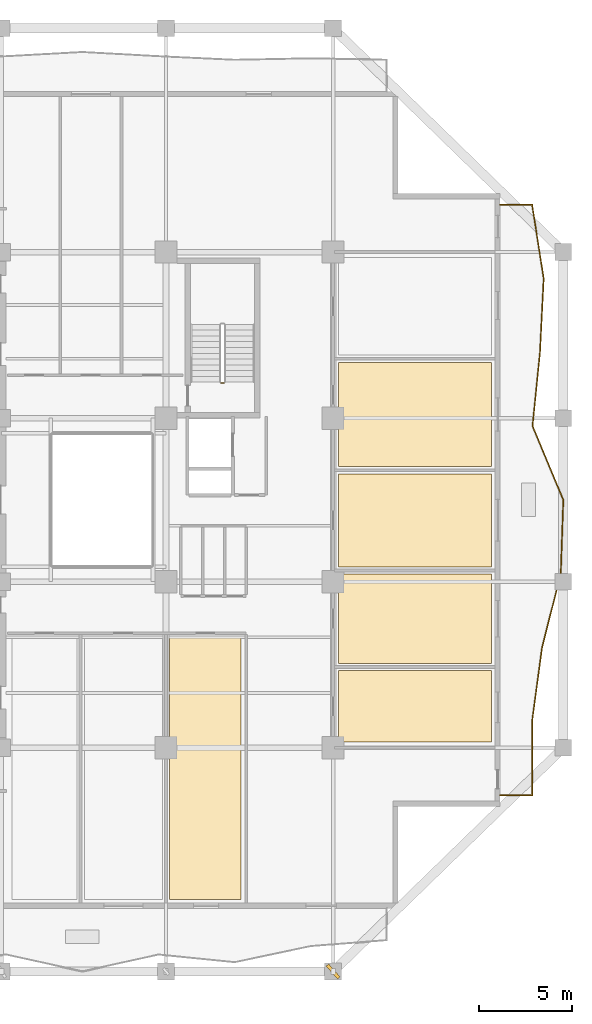
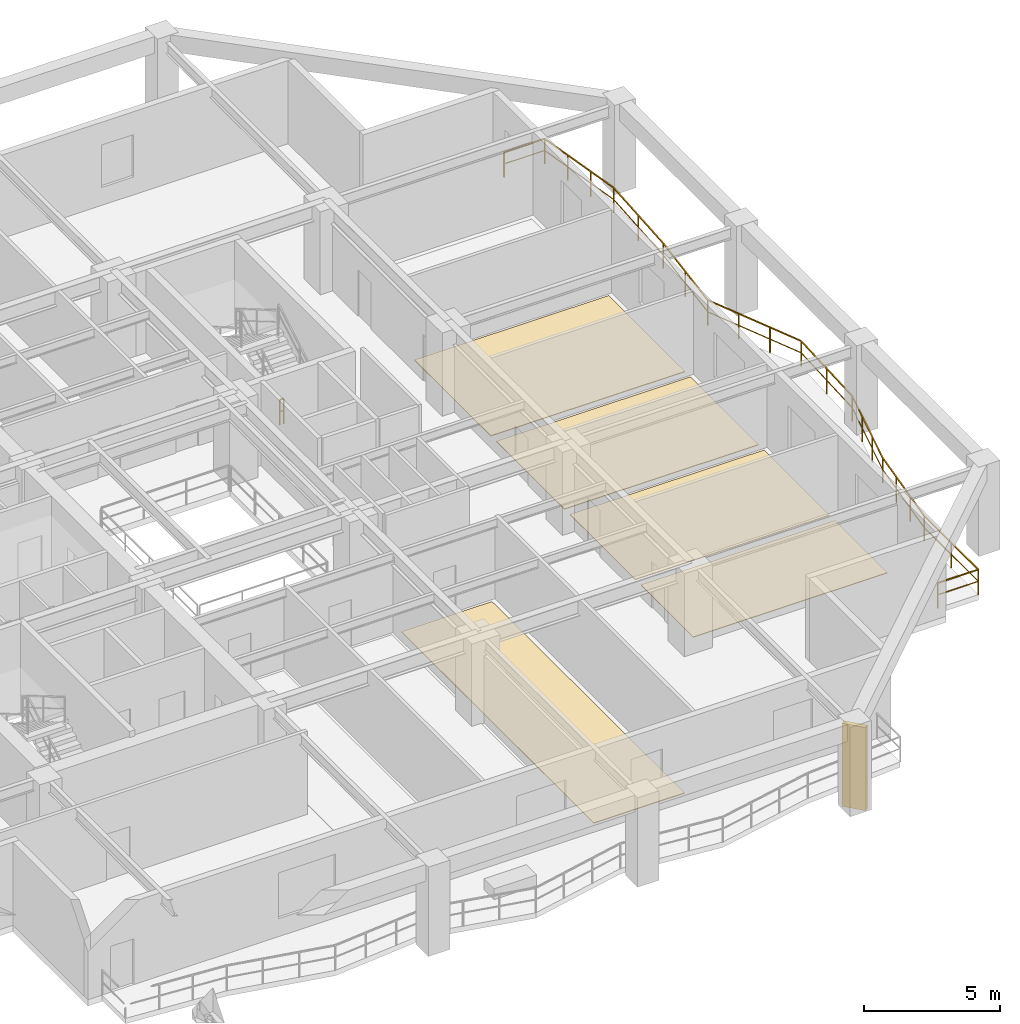
# One storey, part 10 of 13: 5 coverings, 2 railings, 1 shading device.
"""IFC4 building model written with IfcOpenShell, lengths in metres."""

from ifc_helpers import new_model, si_unit, direction, frame, origin, origin_2d, place, context, subcontext, project, spatial, polyline, rectangle, outline, extrude, material, layer, layer_set, type_object, element, save


model = new_model("IFC4")

# Units and contexts
model_context = context("Model", 3, precision=1e-05, world=origin(), true_north=direction((0.0, 1.0)))
body_context = subcontext(model_context, "Body", "Model", "MODEL_VIEW")
ifc_project = project(units=[si_unit("LENGTHUNIT", "METRE"), si_unit("AREAUNIT", "SQUARE_METRE"), si_unit("VOLUMEUNIT", "CUBIC_METRE"), si_unit("PLANEANGLEUNIT", "RADIAN"), si_unit("MASSUNIT", "GRAM", prefix="KILO")], contexts=[model_context])

# Site, building, storey
site_placement = place(None, origin())
site = spatial("IfcSite", under=ifc_project, at=site_placement, CompositionType="ELEMENT")
building_placement = place(site_placement, origin())
building = spatial("IfcBuilding", under=site, at=building_placement, Name="Kundavana Baori Tower", CompositionType="ELEMENT")
storey_placement = place(building_placement, frame((0.0, 0.0, 54.0)))
storey = spatial("IfcBuildingStorey", under=building, at=storey_placement, Name="L12", CompositionType="ELEMENT", Elevation=54.0)

# Coverings
ifc_material_1 = material(Name="Honed Kota Stone and Terrazzo Flooring", Category="masonry")
ifc_layer = layer(ifc_material_1, 0.030029296875, Name="COV-INT-FLR")
ifc_layer_set = layer_set([ifc_layer], Name="Honed Kota Stone and Terrazzo Flooring")
covering_type = type_object("IfcCoveringType", Name="COV-INT-FLR", PredefinedType="FLOORING", material=ifc_layer_set)
covering_1_placement = place(storey_placement, origin())
element("IfcCovering", 1, at=covering_1_placement, inside=storey, type_object=covering_type, Name="L12 Room Finished Stone Flooring 6", PredefinedType="FLOORING", context=body_context, shape_type="SweptSolid", body=[
    extrude(outline(polyline([(34.0, 7.080078125), (37.840087890625, 7.080078125), (37.840087890625, 21.199951171875), (34.0, 21.199951171875), (34.0, 7.080078125)])), origin(), (0.0, 0.0, 1.0), 0.030029296875),
])
covering_2_placement = place(storey_placement, origin())
element("IfcCovering", 2, at=covering_2_placement, inside=storey, type_object=covering_type, Name="L12 Room Finished Stone Flooring 7", PredefinedType="FLOORING", context=body_context, shape_type="SweptSolid", body=[
    extrude(outline(polyline([(43.10009765625, 15.550048828125), (51.320068359375, 15.550048828125), (51.320068359375, 19.39990234375), (43.10009765625, 19.39990234375), (43.10009765625, 15.550048828125)])), origin(), (0.0, 0.0, 1.0), 0.030029296875),
])
covering_3_placement = place(storey_placement, origin())
element("IfcCovering", 3, at=covering_3_placement, inside=storey, type_object=covering_type, Name="L12 Room Finished Stone Flooring 8", PredefinedType="FLOORING", context=body_context, shape_type="SweptSolid", body=[
    extrude(outline(polyline([(43.10009765625, 19.800048828125), (51.320068359375, 19.800048828125), (51.320068359375, 24.60009765625), (43.10009765625, 24.60009765625), (43.10009765625, 19.800048828125)])), origin(), (0.0, 0.0, 1.0), 0.030029296875),
])
covering_4_placement = place(storey_placement, origin())
element("IfcCovering", 4, at=covering_4_placement, inside=storey, type_object=covering_type, Name="L12 Room Finished Stone Flooring 9", PredefinedType="FLOORING", context=body_context, shape_type="SweptSolid", body=[
    extrude(outline(polyline([(43.10009765625, 25.0), (51.320068359375, 25.0), (51.320068359375, 30.0), (43.10009765625, 30.0), (43.10009765625, 25.0)])), origin(), (0.0, 0.0, 1.0), 0.030029296875),
])
covering_5_placement = place(storey_placement, origin())
element("IfcCovering", 5, at=covering_5_placement, inside=storey, type_object=covering_type, Name="L12 Room Finished Stone Flooring 10", PredefinedType="FLOORING", context=body_context, shape_type="SweptSolid", body=[
    extrude(outline(polyline([(43.10009765625, 30.39990234375), (51.320068359375, 30.39990234375), (51.320068359375, 36.0), (43.10009765625, 36.0), (43.10009765625, 30.39990234375)])), origin(), (0.0, 0.0, 1.0), 0.030029296875),
])

# Railings
ifc_material_2 = material(Name="Architectural Patinated Bronze Metalwork")
railing_type_1 = type_object("IfcRailingType", Name="RL-BAL-1150", PredefinedType="BALUSTRADE", material=ifc_material_2)
railing_1_placement = place(storey_placement, frame((51.800048828125, 44.5, 0.0)))
element("IfcRailing", 6, at=railing_1_placement, inside=storey, type_object=railing_type_1, Name="L12 Loggia Balcony Balustrade E", PredefinedType="BALUSTRADE", context=body_context, shape_type="SweptSolid", body=[
    extrude(rectangle(XDim=0.048095703125, YDim=0.048095703125, at=origin_2d()), frame((0.0, 0.0, 1.1259765625), z_axis=(1.0, 0.0, 0.0), x_axis=(0.0, 1.0, 0.0)), (0.0, 0.0, 1.0), 1.719970703125),
    extrude(rectangle(XDim=0.03125, YDim=0.03125, at=origin_2d()), frame((0.0, 0.0, 0.597900390625), z_axis=(1.0, 0.0, 0.0), x_axis=(0.0, 1.0, 0.0)), (0.0, 0.0, 1.0), 1.719970703125),
    extrude(rectangle(XDim=0.048095703125, YDim=0.048095703125, at=origin_2d()), frame((1.719970703125, 0.0, 1.1259765625), z_axis=(0.155320727493, -0.987864095719, 0.0), x_axis=(0.987864095719, 0.155320727493, 0.0)), (0.0, 0.0, 1.0), 4.02392578125),
    extrude(rectangle(XDim=0.03125, YDim=0.03125, at=origin_2d()), frame((1.719970703125, 0.0, 0.597900390625), z_axis=(0.155320727493, -0.987864095719, 0.0), x_axis=(0.987864095719, 0.155320727493, 0.0)), (0.0, 0.0, 1.0), 4.02392578125),
    extrude(rectangle(XDim=0.048095703125, YDim=0.048095703125, at=origin_2d()), frame((2.344970703125, -3.97509765625, 1.1259765625), z_axis=(-0.049995748783, -0.99874943059, 0.0), x_axis=(0.99874943059, -0.049995748783, 0.0)), (0.0, 0.0, 1.0), 3.979736328125),
    extrude(rectangle(XDim=0.03125, YDim=0.03125, at=origin_2d()), frame((2.344970703125, -3.97509765625, 0.597900390625), z_axis=(-0.049995748783, -0.99874943059, 0.0), x_axis=(0.99874943059, -0.049995748783, 0.0)), (0.0, 0.0, 1.0), 3.979736328125),
    extrude(rectangle(XDim=0.048095703125, YDim=0.048095703125, at=origin_2d()), frame((2.14599609375, -7.949951171875, 1.1259765625), z_axis=(-0.101124925205, -0.994873735457, 0.0), x_axis=(0.994873735457, -0.101124925205, 0.0)), (0.0, 0.0, 1.0), 3.99560546875),
    extrude(rectangle(XDim=0.03125, YDim=0.03125, at=origin_2d()), frame((2.14599609375, -7.949951171875, 0.597900390625), z_axis=(-0.101124925205, -0.994873735457, 0.0), x_axis=(0.994873735457, -0.101124925205, 0.0)), (0.0, 0.0, 1.0), 3.99560546875),
    extrude(rectangle(XDim=0.048095703125, YDim=0.048095703125, at=origin_2d()), frame((1.741943359375, -11.925048828125, 1.1259765625), z_axis=(0.384965545475, -0.922930944761, 0.0), x_axis=(0.922930944761, 0.384965545475, 0.0)), (0.0, 0.0, 1.0), 4.306884765625),
    extrude(rectangle(XDim=0.03125, YDim=0.03125, at=origin_2d()), frame((1.741943359375, -11.925048828125, 0.597900390625), z_axis=(0.384965545475, -0.922930944761, 0.0), x_axis=(0.922930944761, 0.384965545475, 0.0)), (0.0, 0.0, 1.0), 4.306884765625),
    extrude(rectangle(XDim=0.048095703125, YDim=0.048095703125, at=origin_2d()), frame((3.39990234375, -15.89990234375, 1.1259765625), z_axis=(-0.034189556503, -0.999415366215, 0.0), x_axis=(0.999415366215, -0.034189556503, 0.0)), (0.0, 0.0, 1.0), 3.9775390625),
    extrude(rectangle(XDim=0.03125, YDim=0.03125, at=origin_2d()), frame((3.39990234375, -15.89990234375, 0.597900390625), z_axis=(-0.034189556503, -0.999415366215, 0.0), x_axis=(0.999415366215, -0.034189556503, 0.0)), (0.0, 0.0, 1.0), 3.9775390625),
    extrude(rectangle(XDim=0.048095703125, YDim=0.048095703125, at=origin_2d()), frame((3.263916015625, -19.875, 1.1259765625), z_axis=(-0.245588298557, -0.969374224751, 0.0), x_axis=(0.969374224751, -0.245588298557, 0.0)), (0.0, 0.0, 1.0), 4.1005859375),
    extrude(rectangle(XDim=0.03125, YDim=0.03125, at=origin_2d()), frame((3.263916015625, -19.875, 0.597900390625), z_axis=(-0.245588298557, -0.969374224751, 0.0), x_axis=(0.969374224751, -0.245588298557, 0.0)), (0.0, 0.0, 1.0), 4.1005859375),
    extrude(rectangle(XDim=0.048095703125, YDim=0.048095703125, at=origin_2d()), frame((2.2568359375, -23.85009765625, 1.1259765625), z_axis=(-0.13385004074, -0.991001597675, 0.0), x_axis=(0.991001597675, -0.13385004074, 0.0)), (0.0, 0.0, 1.0), 4.010986328125),
    extrude(rectangle(XDim=0.03125, YDim=0.03125, at=origin_2d()), frame((2.2568359375, -23.85009765625, 0.597900390625), z_axis=(-0.13385004074, -0.991001597675, 0.0), x_axis=(0.991001597675, -0.13385004074, 0.0)), (0.0, 0.0, 1.0), 4.010986328125),
    extrude(rectangle(XDim=0.048095703125, YDim=0.048095703125, at=origin_2d()), frame((1.719970703125, -27.824951171875, 1.1259765625), z_axis=(0.0, -1.0, 0.0), x_axis=(1.0, 0.0, 0.0)), (0.0, 0.0, 1.0), 3.97509765625),
    extrude(rectangle(XDim=0.03125, YDim=0.03125, at=origin_2d()), frame((1.719970703125, -27.824951171875, 0.597900390625), z_axis=(0.0, -1.0, 0.0), x_axis=(1.0, 0.0, 0.0)), (0.0, 0.0, 1.0), 3.97509765625),
    extrude(rectangle(XDim=0.048095703125, YDim=0.048095703125, at=origin_2d()), frame((1.719970703125, -31.800048828125, 1.1259765625), z_axis=(-1.0, 0.0, 0.0), x_axis=(0.0, -1.0, 0.0)), (0.0, 0.0, 1.0), 1.719970703125),
    extrude(rectangle(XDim=0.03125, YDim=0.03125, at=origin_2d()), frame((1.719970703125, -31.800048828125, 0.597900390625), z_axis=(-1.0, 0.0, 0.0), x_axis=(0.0, -1.0, 0.0)), (0.0, 0.0, 1.0), 1.719970703125),
    extrude(rectangle(XDim=0.0419921875, YDim=0.0419921875, at=origin_2d()), origin(), (0.0, 0.0, 1.0), 1.101806640625),
    extrude(rectangle(XDim=0.0419921875, YDim=0.0419921875, at=origin_2d()), frame((1.719970703125, 0.0, 0.0)), (0.0, 0.0, 1.0), 1.101806640625),
    extrude(rectangle(XDim=0.0419921875, YDim=0.0419921875, at=origin_2d()), frame((1.92822265625, -1.324951171875, 0.0)), (0.0, 0.0, 1.0), 1.101806640625),
    extrude(rectangle(XDim=0.0419921875, YDim=0.0419921875, at=origin_2d()), frame((2.13671875, -2.650146484375, 0.0)), (0.0, 0.0, 1.0), 1.101806640625),
    extrude(rectangle(XDim=0.0419921875, YDim=0.0419921875, at=origin_2d()), frame((2.344970703125, -3.97509765625, 0.0)), (0.0, 0.0, 1.0), 1.101806640625),
    extrude(rectangle(XDim=0.0419921875, YDim=0.0419921875, at=origin_2d()), frame((2.24560546875, -5.96240234375, 0.0)), (0.0, 0.0, 1.0), 1.101806640625),
    extrude(rectangle(XDim=0.0419921875, YDim=0.0419921875, at=origin_2d()), frame((2.14599609375, -7.949951171875, 0.0)), (0.0, 0.0, 1.0), 1.101806640625),
    extrude(rectangle(XDim=0.0419921875, YDim=0.0419921875, at=origin_2d()), frame((1.94384765625, -9.9375, 0.0)), (0.0, 0.0, 1.0), 1.101806640625),
    extrude(rectangle(XDim=0.0419921875, YDim=0.0419921875, at=origin_2d()), frame((1.741943359375, -11.925048828125, 0.0)), (0.0, 0.0, 1.0), 1.101806640625),
    extrude(rectangle(XDim=0.0419921875, YDim=0.0419921875, at=origin_2d()), frame((2.294677734375, -13.25, 0.0)), (0.0, 0.0, 1.0), 1.101806640625),
    extrude(rectangle(XDim=0.0419921875, YDim=0.0419921875, at=origin_2d()), frame((2.84716796875, -14.574951171875, 0.0)), (0.0, 0.0, 1.0), 1.101806640625),
    extrude(rectangle(XDim=0.0419921875, YDim=0.0419921875, at=origin_2d()), frame((3.39990234375, -15.89990234375, 0.0)), (0.0, 0.0, 1.0), 1.101806640625),
    extrude(rectangle(XDim=0.0419921875, YDim=0.0419921875, at=origin_2d()), frame((3.33203125, -17.887451171875, 0.0)), (0.0, 0.0, 1.0), 1.101806640625),
    extrude(rectangle(XDim=0.0419921875, YDim=0.0419921875, at=origin_2d()), frame((3.263916015625, -19.875, 0.0)), (0.0, 0.0, 1.0), 1.101806640625),
    extrude(rectangle(XDim=0.0419921875, YDim=0.0419921875, at=origin_2d()), frame((2.92822265625, -21.199951171875, 0.0)), (0.0, 0.0, 1.0), 1.101806640625),
    extrude(rectangle(XDim=0.0419921875, YDim=0.0419921875, at=origin_2d()), frame((2.592529296875, -22.525146484375, 0.0)), (0.0, 0.0, 1.0), 1.101806640625),
    extrude(rectangle(XDim=0.0419921875, YDim=0.0419921875, at=origin_2d()), frame((2.2568359375, -23.85009765625, 0.0)), (0.0, 0.0, 1.0), 1.101806640625),
    extrude(rectangle(XDim=0.0419921875, YDim=0.0419921875, at=origin_2d()), frame((2.077880859375, -25.175048828125, 0.0)), (0.0, 0.0, 1.0), 1.101806640625),
    extrude(rectangle(XDim=0.0419921875, YDim=0.0419921875, at=origin_2d()), frame((1.89892578125, -26.5, 0.0)), (0.0, 0.0, 1.0), 1.101806640625),
    extrude(rectangle(XDim=0.0419921875, YDim=0.0419921875, at=origin_2d()), frame((1.719970703125, -27.824951171875, 0.0)), (0.0, 0.0, 1.0), 1.101806640625),
    extrude(rectangle(XDim=0.0419921875, YDim=0.0419921875, at=origin_2d()), frame((1.719970703125, -29.8125, 0.0)), (0.0, 0.0, 1.0), 1.101806640625),
    extrude(rectangle(XDim=0.0419921875, YDim=0.0419921875, at=origin_2d()), frame((1.719970703125, -31.800048828125, 0.0)), (0.0, 0.0, 1.0), 1.101806640625),
    extrude(rectangle(XDim=0.0419921875, YDim=0.0419921875, at=origin_2d()), frame((0.0, -31.800048828125, 0.0)), (0.0, 0.0, 1.0), 1.101806640625),
])
ifc_material_3 = material(Name="Architectural Patinated Bronze Metalwork")
railing_type_2 = type_object("IfcRailingType", Name="RL-GRD-1150", PredefinedType="GUARDRAIL", material=ifc_material_3)
railing_2_placement = place(storey_placement, frame((36.929931640625, 34.89990234375, 0.0)))
element("IfcRailing", 7, at=railing_2_placement, inside=storey, type_object=railing_type_2, Name="L12 ST3 stair guard 4", PredefinedType="GUARDRAIL", context=body_context, shape_type="SweptSolid", body=[
    extrude(rectangle(XDim=0.048095703125, YDim=0.048095703125, at=origin_2d()), frame((0.0, 0.0, 1.1259765625), z_axis=(-1.0, 0.0, 0.0), x_axis=(0.0, -1.0, 0.0)), (0.0, 0.0, 1.0), 0.159912109375),
    extrude(rectangle(XDim=0.03125, YDim=0.03125, at=origin_2d()), frame((0.0, 0.0, 0.597900390625), z_axis=(-1.0, 0.0, 0.0), x_axis=(0.0, -1.0, 0.0)), (0.0, 0.0, 1.0), 0.159912109375),
    extrude(rectangle(XDim=0.0419921875, YDim=0.0419921875, at=origin_2d()), origin(), (0.0, 0.0, 1.0), 1.101806640625),
    extrude(rectangle(XDim=0.0419921875, YDim=0.0419921875, at=origin_2d()), frame((-0.159912109375, 0.0, 0.0)), (0.0, 0.0, 1.0), 1.101806640625),
])

# Shading device
ifc_material_4 = material(Name="Red-Buff Dholpur Sandstone Cladding on Concrete C40/50", Category="masonry")
shading_device_type = type_object("IfcShadingDeviceType", Name="SHD-FIN-920", PredefinedType="JALOUSIE", material=ifc_material_4)
shading_device_placement = place(storey_placement, frame((42.800048828125, 3.199951171875, 0.0), z_axis=(0.0, 0.0, 1.0), x_axis=(0.749995637512, 0.66144277433, 0.0)))
element("IfcShadingDevice", 8, at=shading_device_placement, inside=storey, type_object=shading_device_type, Name="L12 Sweeping Dholpur Sandstone Facade Fin 4", PredefinedType="JALOUSIE", context=body_context, shape_type="SweptSolid", body=[
    extrude(rectangle(XDim=0.179931640625, YDim=0.919921875, at=origin_2d()), origin(), (0.0, 0.0, 1.0), 3.719970703125),
])

save(model, "model.ifc")
